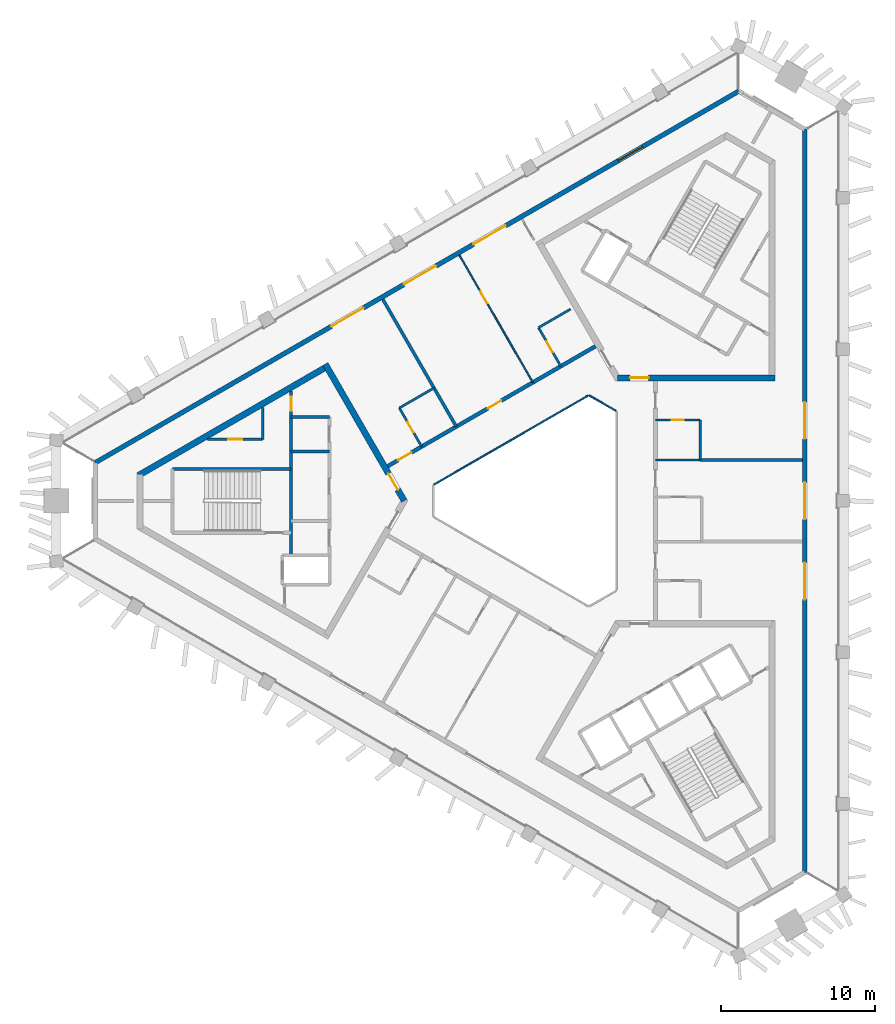
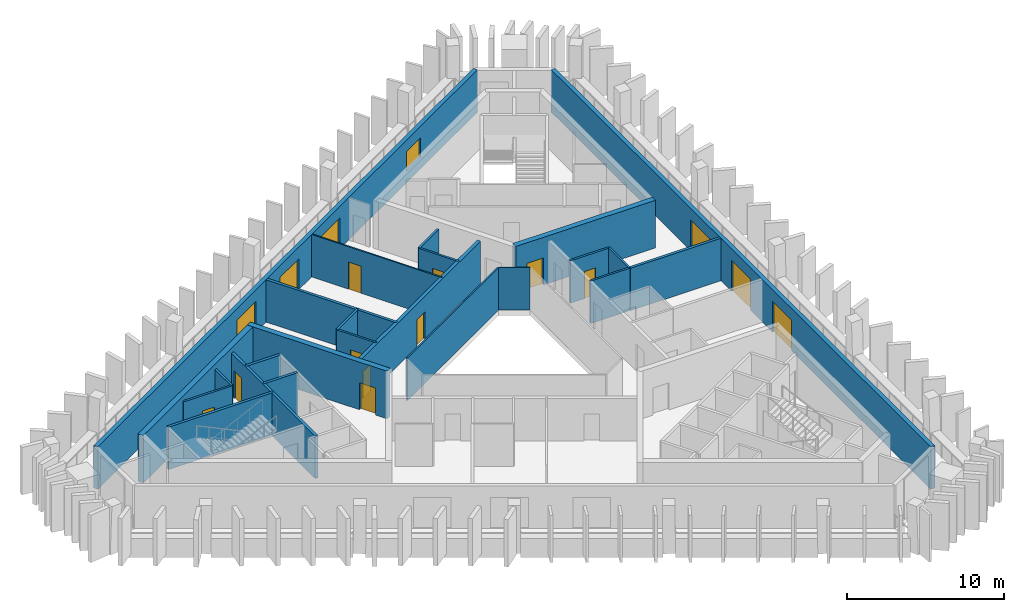
# One storey, part 4 of 9: 24 walls, 16 doors, 1 window, 17 openings.
"""IFC4 building model written with IfcOpenShell, lengths in metres."""

from ifc_helpers import new_model, si_unit, direction, frame, frame_2d, origin, place, context, subcontext, project, spatial, rectangle, extrude, material, layer, layer_set, type_object, element, fill, save


model = new_model("IFC4")

# Units and contexts
model_context = context("Model", 3, precision=1e-05, world=origin(), true_north=direction((0.0, 1.0)))
body_context = subcontext(model_context, "Body", "Model", "MODEL_VIEW")
ifc_project = project(units=[si_unit("LENGTHUNIT", "METRE"), si_unit("AREAUNIT", "SQUARE_METRE"), si_unit("VOLUMEUNIT", "CUBIC_METRE"), si_unit("PLANEANGLEUNIT", "RADIAN"), si_unit("MASSUNIT", "GRAM", prefix="KILO")], contexts=[model_context])

# Site, building, storey
site_placement = place(None, origin())
site = spatial("IfcSite", under=ifc_project, at=site_placement, CompositionType="ELEMENT")
building_placement = place(site_placement, origin())
building = spatial("IfcBuilding", under=site, at=building_placement, Name="Jabali Bay Hotel Tower and Convention Centre", CompositionType="ELEMENT")
storey_placement = place(building_placement, frame((0.0, 0.0, 262.699951171875)))
storey = spatial("IfcBuildingStorey", under=building, at=storey_placement, Name="L64", CompositionType="ELEMENT", Elevation=262.699951171875)

# Walls
ifc_material_1 = material(Name="Fire-resistant glazing", Category="glass")
ifc_layer_1 = layer(ifc_material_1, 0.10009765625)
ifc_layer_set_1 = layer_set([ifc_layer_1], Name="Fire-resistant glazing")
wall_type_1 = type_object("IfcWallType", Name="Atrium glazed screen 100", PredefinedType="PARTITIONING", material=ifc_layer_set_1)
wall_1_placement = place(storey_placement, frame((79.530029296875, 85.84619140625, 0.0), z_axis=(0.0, 0.0, 1.0), x_axis=(-0.866041268327, 0.499972520799, 0.0)))
element("IfcWall", 1, at=wall_1_placement, inside=storey, type_object=wall_type_1, Name="Atrium screen 2 L64", PredefinedType="PARTITIONING", context=body_context, shape_type="SweptSolid", body=[
    extrude(rectangle(XDim=2.0, YDim=0.10009765625, at=frame_2d((1.0, 0.0))), origin(), (0.0, 0.0, 1.0), 3.300048828125),
])
wall_2_placement = place(storey_placement, frame((77.738037109375, 86.84619140625, 0.0), z_axis=(0.0, 0.0, 1.0), x_axis=(-0.866026658274, -0.499997827154, 0.0)))
element("IfcWall", 2, at=wall_2_placement, inside=storey, type_object=wall_type_1, Name="Atrium screen 3 L64", PredefinedType="PARTITIONING", context=body_context, shape_type="SweptSolid", body=[
    extrude(rectangle(XDim=11.58837890625, YDim=0.10009765625, at=frame_2d((5.794189453125, 0.0))), origin(), (0.0, 0.0, 1.0), 3.300048828125),
])

# Wall, opening, door
ifc_material_2 = material(Name="Fire-rated board partition")
ifc_layer_2 = layer(ifc_material_2, 0.14990234375)
ifc_layer_set_2 = layer_set([ifc_layer_2], Name="Fire-rated board partition")
wall_type_2 = type_object("IfcWallType", Name="Core room partition 150", PredefinedType="PARTITIONING", material=ifc_layer_set_2)
wall_3_placement = place(storey_placement, frame((56.570068359375, 84.0, 0.0), z_axis=(0.0, 0.0, 1.0), x_axis=(-1.0, 0.0, 0.0)))
wall_3 = element("IfcWall", 3, at=wall_3_placement, inside=storey, type_object=wall_type_2, Name="Core wall 0.1 L64", PredefinedType="PARTITIONING", context=body_context, shape_type="SweptSolid", body=[
    extrude(rectangle(XDim=3.601806640625, YDim=0.14990234375, at=frame_2d((1.80078125, 0.0))), origin(), (0.0, 0.0, 1.0), 3.300048828125),
])
opening_1_placement = place(wall_3_placement, frame((1.323486328125, 0.0, 0.0)))
opening_1 = element("IfcOpeningElement", 4, at=opening_1_placement, cuts=wall_3, Name="Opening D1407", PredefinedType="OPENING", context=body_context, shape_type="SweptSolid", body=[
    extrude(rectangle(XDim=0.89990234375, YDim=2.10009765625, at=frame_2d((0.449951171875, 1.050048828125))), frame((0.0, 0.08544921875, 0.0), z_axis=(0.0, -1.0, 0.0), x_axis=(1.0, 0.0, 0.0)), (0.0, 0.0, 1.0), 0.1708984375),
])
ifc_material_3 = material(Name="Fire-rated steel door", Category="steel")
door_type_1 = type_object("IfcDoorType", Name="Core room door 900 x 2100", OperationType="NOTDEFINED", PredefinedType="NOTDEFINED", material=ifc_material_3)
door_1_placement = place(opening_1_placement, origin())
door_1 = element("IfcDoor", 5, at=door_1_placement, inside=storey, type_object=door_type_1, Name="Core room door D1407", OperationType="SINGLE_SWING_LEFT", OverallHeight=2.10009765625, OverallWidth=0.89990234375, PredefinedType="NOTDEFINED", context=body_context, shape_type="SweptSolid", body=[
    extrude(rectangle(XDim=0.89990234375, YDim=2.10009765625, at=frame_2d((0.449951171875, 1.050048828125))), frame((0.0, 0.02490234375, 0.0), z_axis=(0.0, -1.0, 0.0), x_axis=(1.0, 0.0, 0.0)), (0.0, 0.0, 1.0), 0.050048828125),
])
fill(opening_1, door_1)

# Walls
wall_4_placement = place(storey_placement, frame((56.570068359375, 86.07958984375, 0.0), z_axis=(0.0, 0.0, 1.0), x_axis=(0.0, -1.0, 0.0)))
element("IfcWall", 6, at=wall_4_placement, inside=storey, type_object=wall_type_2, Name="Core wall 0.13 L64", PredefinedType="PARTITIONING", context=body_context, shape_type="SweptSolid", body=[
    extrude(rectangle(XDim=2.07958984375, YDim=0.14990234375, at=frame_2d((1.039794921875, 0.0))), origin(), (0.0, 0.0, 1.0), 3.300048828125),
])
ifc_material_4 = material(Name="Concrete C40", Category="concrete")
ifc_layer_3 = layer(ifc_material_4, 0.199951171875)
ifc_layer_set_3 = layer_set([ifc_layer_3], Name="Concrete C40")
wall_type_3 = type_object("IfcWallType", Name="Core stair wall 200", PredefinedType="SOLIDWALL", material=ifc_layer_set_3)
for number, where, z_axis, x_axis, name in (
    (7, (60.89990234375, 85.449951171875, 0.0), (0.0, 0.0, 1.0), (-1.0, 0.0, 0.0), "Core wall 0.0 L64"),
    (8, (60.89990234375, 83.199951171875, 0.0), (0.0, 0.0, 1.0), (-1.0, 0.0, 0.0), "Core wall 0.2 L64"),
):
    element("IfcWall", number, at=place(storey_placement, frame(where, z_axis=z_axis, x_axis=x_axis)), inside=storey, type_object=wall_type_3, Name=name, PredefinedType="SOLIDWALL", context=body_context, shape_type="SweptSolid", body=[
        extrude(rectangle(XDim=2.47998046875, YDim=0.199951171875, at=frame_2d((1.239990234375, 0.0))), origin(), (0.0, 0.0, 1.0), 3.300048828125),
    ])
wall_5_placement = place(storey_placement, frame((58.419921875, 82.074951171875, 0.0), z_axis=(0.0, 0.0, 1.0), x_axis=(-1.0, 0.0, 0.0)))
element("IfcWall", 9, at=wall_5_placement, inside=storey, type_object=wall_type_3, Name="Core wall 0.3 L64", PredefinedType="SOLIDWALL", context=body_context, shape_type="SweptSolid", body=[
    extrude(rectangle(XDim=7.699951171875, YDim=0.199951171875, at=frame_2d((3.85009765625, 0.0))), origin(), (0.0, 0.0, 1.0), 3.300048828125),
])

# Wall, opening, door
wall_6_placement = place(storey_placement, frame((58.419921875, 87.147705078125, 0.0), z_axis=(0.0, 0.0, 1.0), x_axis=(0.0, -1.0, 0.0)))
wall_6 = element("IfcWall", 10, at=wall_6_placement, inside=storey, type_object=wall_type_3, Name="Core wall 0.10 L64", PredefinedType="SOLIDWALL", context=body_context, shape_type="SweptSolid", body=[
    extrude(rectangle(XDim=10.69775390625, YDim=0.199951171875, at=frame_2d((5.348876953125, 0.0))), origin(), (0.0, 0.0, 1.0), 3.300048828125),
])
opening_2_placement = place(wall_6_placement, frame((0.398681640625, 0.0, 0.0)))
opening_2 = element("IfcOpeningElement", 11, at=opening_2_placement, cuts=wall_6, Name="Opening D1405", PredefinedType="OPENING", context=body_context, shape_type="SweptSolid", body=[
    extrude(rectangle(XDim=0.89990234375, YDim=2.10009765625, at=frame_2d((0.449951171875, 1.050048828125))), frame((0.0, 0.1103515625, 0.0), z_axis=(0.0, -1.0, 0.0), x_axis=(1.0, 0.0, 0.0)), (0.0, 0.0, 1.0), 0.220947265625),
])
door_type_2 = type_object("IfcDoorType", Name="Vestibule fire door 900 x 2100", OperationType="NOTDEFINED", PredefinedType="NOTDEFINED", material=ifc_material_3)
door_2_placement = place(opening_2_placement, origin())
door_2 = element("IfcDoor", 12, at=door_2_placement, inside=storey, type_object=door_type_2, Name="Vestibule fire door D1405", OperationType="SINGLE_SWING_LEFT", OverallHeight=2.10009765625, OverallWidth=0.89990234375, PredefinedType="NOTDEFINED", context=body_context, shape_type="SweptSolid", body=[
    extrude(rectangle(XDim=0.89990234375, YDim=2.10009765625, at=frame_2d((0.449951171875, 1.050048828125))), frame((0.0, 0.02490234375, 0.0), z_axis=(0.0, -1.0, 0.0), x_axis=(1.0, 0.0, 0.0)), (0.0, 0.0, 1.0), 0.050048828125),
])
fill(opening_2, door_2)

ifc_material_5 = material(Name="Concrete C60", Category="concrete")
ifc_layer_4 = layer(ifc_material_5, 0.39990234375)
ifc_layer_set_4 = layer_set([ifc_layer_4], Name="Concrete C60")
wall_type_4 = type_object("IfcWallType", Name="Core wall 400", PredefinedType="SHEAR", material=ifc_layer_set_4)
wall_7_placement = place(storey_placement, frame((65.76904296875, 80.0, 0.0), z_axis=(0.0, 0.0, 1.0), x_axis=(-0.50000177223, 0.866024380585, 0.0)))
wall_7 = element("IfcWall", 13, at=wall_7_placement, inside=storey, type_object=wall_type_4, Name="Core wall 1.1 L64", PredefinedType="SHEAR", context=body_context, shape_type="SweptSolid", body=[
    extrude(rectangle(XDim=10.2646484375, YDim=0.39990234375, at=frame_2d((5.13232421875, 0.0))), origin(), (0.0, 0.0, 1.0), 3.699951171875),
])
opening_3_placement = place(wall_7_placement, frame((0.83447265625, 0.0, 0.0)))
opening_3 = element("IfcOpeningElement", 14, at=opening_3_placement, cuts=wall_7, Name="Opening D1399", PredefinedType="OPENING", context=body_context, shape_type="SweptSolid", body=[
    extrude(rectangle(XDim=1.199951171875, YDim=2.10009765625, at=frame_2d((0.60009765625, 1.050048828125))), frame((0.0, 0.21044921875, 0.0), z_axis=(0.0, -1.0, 0.0), x_axis=(1.0, 0.0, 0.0)), (0.0, 0.0, 1.0), 0.4208984375),
])
door_type_3 = type_object("IfcDoorType", Name="Corridor end fire door 1200 x 2100", OperationType="NOTDEFINED", PredefinedType="NOTDEFINED", material=ifc_material_3)
door_3_placement = place(opening_3_placement, origin())
door_3 = element("IfcDoor", 15, at=door_3_placement, inside=storey, type_object=door_type_3, Name="Corridor end fire door D1399", OperationType="SINGLE_SWING_RIGHT", OverallHeight=2.10009765625, OverallWidth=1.199951171875, PredefinedType="NOTDEFINED", context=body_context, shape_type="SweptSolid", body=[
    extrude(rectangle(XDim=1.199951171875, YDim=2.10009765625, at=frame_2d((0.60009765625, 1.050048828125))), frame((0.0, 0.02490234375, 0.0), z_axis=(0.0, -1.0, 0.0), x_axis=(1.0, 0.0, 0.0)), (0.0, 0.0, 1.0), 0.050048828125),
])
fill(opening_3, door_3)

# Wall
wall_8_placement = place(storey_placement, frame((60.73681640625, 88.716064453125, 0.0), z_axis=(0.0, 0.0, 1.0), x_axis=(-0.866028812667, -0.499994095595, 0.0)))
element("IfcWall", 16, at=wall_8_placement, inside=storey, type_object=wall_type_4, Name="Core wall 1.2 L64", PredefinedType="SHEAR", context=body_context, shape_type="SweptSolid", body=[
    extrude(rectangle(XDim=14.133544921875, YDim=0.39990234375, at=frame_2d((7.06689453125, 0.0))), origin(), (0.0, 0.0, 1.0), 3.699951171875),
])

# Wall, opening, door
wall_9_placement = place(storey_placement, frame((79.615478515625, 87.994140625, 0.0), z_axis=(0.0, 0.0, 1.0), x_axis=(1.0, 0.0, 0.0)))
wall_9 = element("IfcWall", 17, at=wall_9_placement, inside=storey, type_object=wall_type_4, Name="Core wall 2.1 L64", PredefinedType="SHEAR", context=body_context, shape_type="SweptSolid", body=[
    extrude(rectangle(XDim=10.264404296875, YDim=0.39990234375, at=frame_2d((5.13232421875, 0.0))), origin(), (0.0, 0.0, 1.0), 3.699951171875),
])
opening_4_placement = place(wall_9_placement, frame((0.83447265625, 0.0, 0.0)))
opening_4 = element("IfcOpeningElement", 18, at=opening_4_placement, cuts=wall_9, Name="Opening D1408", PredefinedType="OPENING", context=body_context, shape_type="SweptSolid", body=[
    extrude(rectangle(XDim=1.199951171875, YDim=2.10009765625, at=frame_2d((0.60009765625, 1.050048828125))), frame((0.0, 0.21044921875, 0.0), z_axis=(0.0, -1.0, 0.0), x_axis=(1.0, 0.0, 0.0)), (0.0, 0.0, 1.0), 0.4208984375),
])
door_4_placement = place(opening_4_placement, origin())
door_4 = element("IfcDoor", 19, at=door_4_placement, inside=storey, type_object=door_type_3, Name="Corridor end fire door D1408", OperationType="SINGLE_SWING_RIGHT", OverallHeight=2.10009765625, OverallWidth=1.199951171875, PredefinedType="NOTDEFINED", context=body_context, shape_type="SweptSolid", body=[
    extrude(rectangle(XDim=1.199951171875, YDim=2.10009765625, at=frame_2d((0.60009765625, 1.050048828125))), frame((0.0, 0.02490234375, 0.0), z_axis=(0.0, -1.0, 0.0), x_axis=(1.0, 0.0, 0.0)), (0.0, 0.0, 1.0), 0.050048828125),
])
fill(opening_4, door_4)

# Wall, openings, doors
ifc_layer_5 = layer(ifc_material_5, 0.25)
ifc_layer_set_5 = layer_set([ifc_layer_5], Name="Concrete C60")
wall_type_5 = type_object("IfcWallType", Name="Corridor wall 250", PredefinedType="SHEAR", material=ifc_layer_set_5)
wall_10_placement = place(storey_placement, frame((78.199951171875, 90.0458984375, 0.0), z_axis=(0.0, 0.0, 1.0), x_axis=(-0.866026492143, -0.499998114903, 0.0)))
wall_10 = element("IfcWall", 20, at=wall_10_placement, inside=storey, type_object=wall_type_5, Name="Corridor wall 2 L64", PredefinedType="SHEAR", context=body_context, shape_type="SweptSolid", body=[
    extrude(rectangle(XDim=15.58837890625, YDim=0.25, at=frame_2d((7.794189453125, 0.0))), origin(), (0.0, 0.0, 1.0), 3.300048828125),
])
opening_5_placement = place(wall_10_placement, frame((7.072021484375, 0.0, 0.0)))
opening_5 = element("IfcOpeningElement", 21, at=opening_5_placement, cuts=wall_10, Name="Opening 6409", PredefinedType="OPENING", context=body_context, shape_type="SweptSolid", body=[
    extrude(rectangle(XDim=1.0, YDim=2.10009765625, at=frame_2d((0.5, 1.050048828125))), frame((0.0, 0.135498046875, 0.0), z_axis=(0.0, -1.0, 0.0), x_axis=(1.0, 0.0, 0.0)), (0.0, 0.0, 1.0), 0.27099609375),
])
opening_6_placement = place(wall_10_placement, frame((13.81640625, 0.0, 0.0)))
opening_6 = element("IfcOpeningElement", 22, at=opening_6_placement, cuts=wall_10, Name="Opening 6411", PredefinedType="OPENING", context=body_context, shape_type="SweptSolid", body=[
    extrude(rectangle(XDim=1.0, YDim=2.10009765625, at=frame_2d((0.5, 1.050048828125))), frame((0.0, 0.135498046875, 0.0), z_axis=(0.0, -1.0, 0.0), x_axis=(1.0, 0.0, 0.0)), (0.0, 0.0, 1.0), 0.27099609375),
])
ifc_material_6 = material(Name="Timber", Category="wood")
door_type_4 = type_object("IfcDoorType", Name="Guest room door 1000 x 2100", OperationType="NOTDEFINED", PredefinedType="NOTDEFINED", material=ifc_material_6)
door_5_placement = place(opening_5_placement, origin())
door_5 = element("IfcDoor", 23, at=door_5_placement, inside=storey, type_object=door_type_4, Name="Door 6409", OperationType="SINGLE_SWING_LEFT", OverallHeight=2.10009765625, OverallWidth=1.0, PredefinedType="NOTDEFINED", context=body_context, shape_type="SweptSolid", body=[
    extrude(rectangle(XDim=1.0, YDim=2.10009765625, at=frame_2d((0.5, 1.050048828125))), frame((0.0, 0.02490234375, 0.0), z_axis=(0.0, -1.0, 0.0), x_axis=(1.0, 0.0, 0.0)), (0.0, 0.0, 1.0), 0.050048828125),
])
fill(opening_5, door_5)
door_6_placement = place(opening_6_placement, origin())
door_6 = element("IfcDoor", 24, at=door_6_placement, inside=storey, type_object=door_type_4, Name="Door 6411", OperationType="SINGLE_SWING_RIGHT", OverallHeight=2.10009765625, OverallWidth=1.0, PredefinedType="NOTDEFINED", context=body_context, shape_type="SweptSolid", body=[
    extrude(rectangle(XDim=1.0, YDim=2.10009765625, at=frame_2d((0.5, 1.050048828125))), frame((0.0, 0.02490234375, 0.0), z_axis=(0.0, -1.0, 0.0), x_axis=(1.0, 0.0, 0.0)), (0.0, 0.0, 1.0), 0.050048828125),
])
fill(opening_6, door_6)

ifc_layer_6 = layer(ifc_material_4, 0.300048828125)
ifc_layer_set_6 = layer_set([ifc_layer_6], Name="Concrete C40")
wall_type_6 = type_object("IfcWallType", Name="External wall 300", PredefinedType="SOLIDWALL", material=ifc_layer_set_6)
wall_11_placement = place(storey_placement, frame((91.802001953125, 104.159423828125, 0.0), z_axis=(0.0, 0.0, 1.0), x_axis=(0.0, -1.0, 0.0)))
wall_11 = element("IfcWall", 25, at=wall_11_placement, inside=storey, type_object=wall_type_6, Name="External wall east face L64", PredefinedType="SOLIDWALL", context=body_context, shape_type="SweptSolid", body=[
    extrude(rectangle(XDim=48.31884765625, YDim=0.300048828125, at=frame_2d((24.159423828125, 0.0))), origin(), (0.0, 0.0, 1.0), 3.300048828125),
])
opening_7_placement = place(wall_11_placement, frame((22.959228515625, 0.0, 0.0)))
opening_7 = element("IfcOpeningElement", 26, at=opening_7_placement, cuts=wall_11, Name="Opening SD1", PredefinedType="OPENING", context=body_context, shape_type="SweptSolid", body=[
    extrude(rectangle(XDim=2.39990234375, YDim=2.39990234375, at=frame_2d((1.199951171875, 1.199951171875))), frame((0.0, 0.16064453125, 0.0), z_axis=(0.0, -1.0, 0.0), x_axis=(1.0, 0.0, 0.0)), (0.0, 0.0, 1.0), 0.321044921875),
])
opening_8_placement = place(wall_11_placement, frame((28.181396484375, 0.0, 0.0)))
opening_8 = element("IfcOpeningElement", 27, at=opening_8_placement, cuts=wall_11, Name="Opening SD1", PredefinedType="OPENING", context=body_context, shape_type="SweptSolid", body=[
    extrude(rectangle(XDim=2.39990234375, YDim=2.39990234375, at=frame_2d((1.199951171875, 1.199951171875))), frame((0.0, 0.16064453125, 0.0), z_axis=(0.0, -1.0, 0.0), x_axis=(1.0, 0.0, 0.0)), (0.0, 0.0, 1.0), 0.321044921875),
])
opening_9_placement = place(wall_11_placement, frame((17.7373046875, 0.0, 0.0)))
opening_9 = element("IfcOpeningElement", 28, at=opening_9_placement, cuts=wall_11, Name="Opening SD1", PredefinedType="OPENING", context=body_context, shape_type="SweptSolid", body=[
    extrude(rectangle(XDim=2.39990234375, YDim=2.39990234375, at=frame_2d((1.199951171875, 1.199951171875))), frame((0.0, 0.16064453125, 0.0), z_axis=(0.0, -1.0, 0.0), x_axis=(1.0, 0.0, 0.0)), (0.0, 0.0, 1.0), 0.321044921875),
])
ifc_material_7 = material(Name="Glass", Category="glass")
door_type_5 = type_object("IfcDoorType", Name="Loggia sliding door 2400 x 2400", OperationType="NOTDEFINED", PredefinedType="NOTDEFINED", material=ifc_material_7)
door_7_placement = place(opening_7_placement, origin())
door_7 = element("IfcDoor", 29, at=door_7_placement, inside=storey, type_object=door_type_5, Name="Loggia sliding door 6402", OperationType="SLIDING_TO_LEFT", OverallHeight=2.39990234375, OverallWidth=2.39990234375, PredefinedType="NOTDEFINED", context=body_context, shape_type="SweptSolid", body=[
    extrude(rectangle(XDim=2.39990234375, YDim=2.39990234375, at=frame_2d((1.199951171875, 1.199951171875))), frame((0.0, 0.02490234375, 0.0), z_axis=(0.0, -1.0, 0.0), x_axis=(1.0, 0.0, 0.0)), (0.0, 0.0, 1.0), 0.050048828125),
])
fill(opening_7, door_7)
door_8_placement = place(opening_8_placement, origin())
door_8 = element("IfcDoor", 30, at=door_8_placement, inside=storey, type_object=door_type_5, Name="Loggia sliding door 6401", OperationType="SLIDING_TO_RIGHT", OverallHeight=2.39990234375, OverallWidth=2.39990234375, PredefinedType="NOTDEFINED", context=body_context, shape_type="SweptSolid", body=[
    extrude(rectangle(XDim=2.39990234375, YDim=2.39990234375, at=frame_2d((1.199951171875, 1.199951171875))), frame((0.0, 0.02490234375, 0.0), z_axis=(0.0, -1.0, 0.0), x_axis=(1.0, 0.0, 0.0)), (0.0, 0.0, 1.0), 0.050048828125),
])
fill(opening_8, door_8)
door_9_placement = place(opening_9_placement, origin())
door_9 = element("IfcDoor", 31, at=door_9_placement, inside=storey, type_object=door_type_5, Name="Loggia sliding door 6403", OperationType="SLIDING_TO_LEFT", OverallHeight=2.39990234375, OverallWidth=2.39990234375, PredefinedType="NOTDEFINED", context=body_context, shape_type="SweptSolid", body=[
    extrude(rectangle(XDim=2.39990234375, YDim=2.39990234375, at=frame_2d((1.199951171875, 1.199951171875))), frame((0.0, 0.02490234375, 0.0), z_axis=(0.0, -1.0, 0.0), x_axis=(1.0, 0.0, 0.0)), (0.0, 0.0, 1.0), 0.050048828125),
])
fill(opening_9, door_9)

# Wall, openings, doors, window
wall_12_placement = place(storey_placement, frame((45.67626953125, 82.471435546875, 0.0), z_axis=(0.0, 0.0, 1.0), x_axis=(0.866026894696, 0.499997417657, 0.0)))
wall_12 = element("IfcWall", 32, at=wall_12_placement, inside=storey, type_object=wall_type_6, Name="External wall north-west face L64", PredefinedType="SOLIDWALL", context=body_context, shape_type="SweptSolid", body=[
    extrude(rectangle(XDim=48.318603515625, YDim=0.300048828125, at=frame_2d((24.1591796875, 0.0))), origin(), (0.0, 0.0, 1.0), 3.300048828125),
])
opening_10_placement = place(wall_12_placement, frame((39.279296875, 0.0, 0.89990234375)))
opening_10 = element("IfcOpeningElement", 33, at=opening_10_placement, cuts=wall_12, Name="Opening W1", PredefinedType="OPENING", context=body_context, shape_type="SweptSolid", body=[
    extrude(rectangle(XDim=1.800048828125, YDim=1.5, at=frame_2d((0.89990234375, 0.75))), frame((0.0, 0.16064453125, 0.0), z_axis=(0.0, -1.0, 0.0), x_axis=(1.0, 0.0, 0.0)), (0.0, 0.0, 1.0), 0.321044921875),
])
opening_11_placement = place(wall_12_placement, frame((28.403564453125, 0.0, 0.0)))
opening_11 = element("IfcOpeningElement", 34, at=opening_11_placement, cuts=wall_12, Name="Opening SD1", PredefinedType="OPENING", context=body_context, shape_type="SweptSolid", body=[
    extrude(rectangle(XDim=2.39990234375, YDim=2.39990234375, at=frame_2d((1.199951171875, 1.199951171875))), frame((0.0, 0.16064453125, 0.0), z_axis=(0.0, -1.0, 0.0), x_axis=(1.0, 0.0, 0.0)), (0.0, 0.0, 1.0), 0.321044921875),
])
opening_12_placement = place(wall_12_placement, frame((23.181396484375, 0.0, 0.0)))
opening_12 = element("IfcOpeningElement", 35, at=opening_12_placement, cuts=wall_12, Name="Opening SD1", PredefinedType="OPENING", context=body_context, shape_type="SweptSolid", body=[
    extrude(rectangle(XDim=2.39990234375, YDim=2.39990234375, at=frame_2d((1.199951171875, 1.199951171875))), frame((0.0, 0.16064453125, 0.0), z_axis=(0.0, -1.0, 0.0), x_axis=(1.0, 0.0, 0.0)), (0.0, 0.0, 1.0), 0.321044921875),
])
opening_13_placement = place(wall_12_placement, frame((17.7373046875, 0.0, 0.0)))
opening_13 = element("IfcOpeningElement", 36, at=opening_13_placement, cuts=wall_12, Name="Opening SD1", PredefinedType="OPENING", context=body_context, shape_type="SweptSolid", body=[
    extrude(rectangle(XDim=2.39990234375, YDim=2.39990234375, at=frame_2d((1.199951171875, 1.199951171875))), frame((0.0, 0.16064453125, 0.0), z_axis=(0.0, -1.0, 0.0), x_axis=(1.0, 0.0, 0.0)), (0.0, 0.0, 1.0), 0.321044921875),
])
door_10_placement = place(opening_11_placement, origin())
door_10 = element("IfcDoor", 37, at=door_10_placement, inside=storey, type_object=door_type_5, Name="Loggia sliding door 6404", OperationType="SLIDING_TO_LEFT", OverallHeight=2.39990234375, OverallWidth=2.39990234375, PredefinedType="NOTDEFINED", context=body_context, shape_type="SweptSolid", body=[
    extrude(rectangle(XDim=2.39990234375, YDim=2.39990234375, at=frame_2d((1.199951171875, 1.199951171875))), frame((0.0, 0.02490234375, 0.0), z_axis=(0.0, -1.0, 0.0), x_axis=(1.0, 0.0, 0.0)), (0.0, 0.0, 1.0), 0.050048828125),
])
fill(opening_11, door_10)
door_11_placement = place(opening_12_placement, origin())
door_11 = element("IfcDoor", 38, at=door_11_placement, inside=storey, type_object=door_type_5, Name="Loggia sliding door 6404", OperationType="SLIDING_TO_RIGHT", OverallHeight=2.39990234375, OverallWidth=2.39990234375, PredefinedType="NOTDEFINED", context=body_context, shape_type="SweptSolid", body=[
    extrude(rectangle(XDim=2.39990234375, YDim=2.39990234375, at=frame_2d((1.199951171875, 1.199951171875))), frame((0.0, 0.02490234375, 0.0), z_axis=(0.0, -1.0, 0.0), x_axis=(1.0, 0.0, 0.0)), (0.0, 0.0, 1.0), 0.050048828125),
])
fill(opening_12, door_11)
door_12_placement = place(opening_13_placement, origin())
door_12 = element("IfcDoor", 39, at=door_12_placement, inside=storey, type_object=door_type_5, Name="Loggia sliding door 6405", OperationType="SLIDING_TO_LEFT", OverallHeight=2.39990234375, OverallWidth=2.39990234375, PredefinedType="NOTDEFINED", context=body_context, shape_type="SweptSolid", body=[
    extrude(rectangle(XDim=2.39990234375, YDim=2.39990234375, at=frame_2d((1.199951171875, 1.199951171875))), frame((0.0, 0.02490234375, 0.0), z_axis=(0.0, -1.0, 0.0), x_axis=(1.0, 0.0, 0.0)), (0.0, 0.0, 1.0), 0.050048828125),
])
fill(opening_13, door_12)
window_type = type_object("IfcWindowType", Name="Window 1800 x 1500", PartitioningType="SINGLE_PANEL", PredefinedType="WINDOW", material=ifc_material_7)
window_placement = place(opening_10_placement, origin())
window = element("IfcWindow", 40, at=window_placement, inside=storey, type_object=window_type, Name="Window", OverallHeight=1.5, OverallWidth=1.800048828125, PartitioningType="SINGLE_PANEL", PredefinedType="WINDOW", context=body_context, shape_type="SweptSolid", body=[
    extrude(rectangle(XDim=1.800048828125, YDim=1.5, at=frame_2d((0.89990234375, 0.75))), frame((0.0, 0.030029296875, 0.0), z_axis=(0.0, -1.0, 0.0), x_axis=(1.0, 0.0, 0.0)), (0.0, 0.0, 1.0), 0.06005859375),
])
fill(opening_10, window)

# Wall, opening, door
ifc_material_8 = material(Name="Plasterboard on steel stud", Category="steel")
ifc_layer_7 = layer(ifc_material_8, 0.10009765625)
ifc_layer_set_7 = layer_set([ifc_layer_7], Name="Plasterboard on steel stud")
wall_type_7 = type_object("IfcWallType", Name="Partition 100 unit", PredefinedType="PARTITIONING", material=ifc_layer_set_7)
wall_13_placement = place(storey_placement, frame((69.353271484375, 95.968994140625, 0.0), z_axis=(0.0, 0.0, 1.0), x_axis=(0.499998251479, -0.866026413291, 0.0)))
wall_13 = element("IfcWall", 41, at=wall_13_placement, inside=storey, type_object=wall_type_7, Name="Partition P02 L64 013", PredefinedType="PARTITIONING", context=body_context, shape_type="SweptSolid", body=[
    extrude(rectangle(XDim=9.552734375, YDim=0.10009765625, at=frame_2d((4.7763671875, 0.0))), origin(), (0.0, 0.0, 1.0), 3.300048828125),
])
opening_14_placement = place(wall_13_placement, frame((2.72705078125, 0.0, 0.0)))
opening_14 = element("IfcOpeningElement", 42, at=opening_14_placement, cuts=wall_13, Name="Opening 6408", PredefinedType="OPENING", context=body_context, shape_type="SweptSolid", body=[
    extrude(rectangle(XDim=0.89990234375, YDim=2.10009765625, at=frame_2d((0.449951171875, 1.050048828125))), frame((0.0, 0.060546875, 0.0), z_axis=(0.0, -1.0, 0.0), x_axis=(1.0, 0.0, 0.0)), (0.0, 0.0, 1.0), 0.12109375),
])
door_type_6 = type_object("IfcDoorType", Name="Internal door 900 x 2100", OperationType="NOTDEFINED", PredefinedType="NOTDEFINED", material=ifc_material_6)
door_13_placement = place(opening_14_placement, origin())
door_13 = element("IfcDoor", 43, at=door_13_placement, inside=storey, type_object=door_type_6, Name="Door 6408", OperationType="SINGLE_SWING_RIGHT", OverallHeight=2.10009765625, OverallWidth=0.89990234375, PredefinedType="NOTDEFINED", context=body_context, shape_type="SweptSolid", body=[
    extrude(rectangle(XDim=0.89990234375, YDim=2.10009765625, at=frame_2d((0.449951171875, 1.050048828125))), frame((0.0, 0.02490234375, 0.0), z_axis=(0.0, -1.0, 0.0), x_axis=(1.0, 0.0, 0.0)), (0.0, 0.0, 1.0), 0.050048828125),
])
fill(opening_14, door_13)

# Wall
ifc_layer_8 = layer(ifc_material_8, 0.14990234375)
ifc_layer_set_8 = layer_set([ifc_layer_8], Name="Plasterboard on steel stud")
wall_type_8 = type_object("IfcWallType", Name="Partition 150 wet", PredefinedType="PARTITIONING", material=ifc_layer_set_8)
wall_14_placement = place(storey_placement, frame((85.0, 82.650146484375, 0.0), z_axis=(0.0, 0.0, 1.0), x_axis=(-1.0, 0.0, 0.0)))
element("IfcWall", 44, at=wall_14_placement, inside=storey, type_object=wall_type_8, Name="Partition P03 L64 009", PredefinedType="PARTITIONING", context=body_context, shape_type="SweptSolid", body=[
    extrude(rectangle(XDim=2.89990234375, YDim=0.14990234375, at=frame_2d((1.449951171875, 0.0))), origin(), (0.0, 0.0, 1.0), 3.300048828125),
])

# Wall, opening, door
wall_15_placement = place(storey_placement, frame((82.10009765625, 85.25, 0.0), z_axis=(0.0, 0.0, 1.0), x_axis=(1.0, 0.0, 0.0)))
wall_15 = element("IfcWall", 45, at=wall_15_placement, inside=storey, type_object=wall_type_8, Name="Partition P03 L64 010", PredefinedType="PARTITIONING", context=body_context, shape_type="SweptSolid", body=[
    extrude(rectangle(XDim=2.89990234375, YDim=0.14990234375, at=frame_2d((1.449951171875, 0.0))), origin(), (0.0, 0.0, 1.0), 3.300048828125),
])
opening_15_placement = place(wall_15_placement, frame((1.050048828125, 0.0, 0.0)))
opening_15 = element("IfcOpeningElement", 46, at=opening_15_placement, cuts=wall_15, Name="Opening 6405", PredefinedType="OPENING", context=body_context, shape_type="SweptSolid", body=[
    extrude(rectangle(XDim=0.800048828125, YDim=2.10009765625, at=frame_2d((0.39990234375, 1.050048828125))), frame((0.0, 0.08544921875, 0.0), z_axis=(0.0, -1.0, 0.0), x_axis=(1.0, 0.0, 0.0)), (0.0, 0.0, 1.0), 0.1708984375),
])
door_type_7 = type_object("IfcDoorType", Name="En-suite door 800 x 2100", OperationType="NOTDEFINED", PredefinedType="NOTDEFINED", material=ifc_material_6)
door_14_placement = place(opening_15_placement, origin())
door_14 = element("IfcDoor", 47, at=door_14_placement, inside=storey, type_object=door_type_7, Name="Door 6405", OperationType="SINGLE_SWING_RIGHT", OverallHeight=2.10009765625, OverallWidth=0.800048828125, PredefinedType="NOTDEFINED", context=body_context, shape_type="SweptSolid", body=[
    extrude(rectangle(XDim=0.800048828125, YDim=2.10009765625, at=frame_2d((0.39990234375, 1.050048828125))), frame((0.0, 0.02490234375, 0.0), z_axis=(0.0, -1.0, 0.0), x_axis=(1.0, 0.0, 0.0)), (0.0, 0.0, 1.0), 0.050048828125),
])
fill(opening_15, door_14)

# Wall
wall_16_placement = place(storey_placement, frame((85.0, 85.25, 0.0), z_axis=(0.0, 0.0, 1.0), x_axis=(0.0, -1.0, 0.0)))
element("IfcWall", 48, at=wall_16_placement, inside=storey, type_object=wall_type_8, Name="Partition P03 L64 011", PredefinedType="PARTITIONING", context=body_context, shape_type="SweptSolid", body=[
    extrude(rectangle(XDim=2.599853515625, YDim=0.14990234375, at=frame_2d((1.2998046875, 0.0))), origin(), (0.0, 0.0, 1.0), 3.300048828125),
])

# Wall, opening, door
wall_17_placement = place(storey_placement, frame((75.9482421875, 88.745849609375, 0.0), z_axis=(0.0, 0.0, 1.0), x_axis=(-0.499987231761, 0.866032775405, 0.0)))
wall_17 = element("IfcWall", 49, at=wall_17_placement, inside=storey, type_object=wall_type_8, Name="Partition P03 L64 014", PredefinedType="PARTITIONING", context=body_context, shape_type="SweptSolid", body=[
    extrude(rectangle(XDim=2.89990234375, YDim=0.14990234375, at=frame_2d((1.449951171875, 0.0))), origin(), (0.0, 0.0, 1.0), 3.300048828125),
])
opening_16_placement = place(wall_17_placement, frame((1.050048828125, 0.0, 0.0)))
opening_16 = element("IfcOpeningElement", 50, at=opening_16_placement, cuts=wall_17, Name="Opening 6407", PredefinedType="OPENING", context=body_context, shape_type="SweptSolid", body=[
    extrude(rectangle(XDim=0.800048828125, YDim=2.10009765625, at=frame_2d((0.39990234375, 1.050048828125))), frame((0.0, 0.08544921875, 0.0), z_axis=(0.0, -1.0, 0.0), x_axis=(1.0, 0.0, 0.0)), (0.0, 0.0, 1.0), 0.1708984375),
])
door_15_placement = place(opening_16_placement, origin())
door_15 = element("IfcDoor", 51, at=door_15_placement, inside=storey, type_object=door_type_7, Name="Door 6407", OperationType="SINGLE_SWING_RIGHT", OverallHeight=2.10009765625, OverallWidth=0.800048828125, PredefinedType="NOTDEFINED", context=body_context, shape_type="SweptSolid", body=[
    extrude(rectangle(XDim=0.800048828125, YDim=2.10009765625, at=frame_2d((0.39990234375, 1.050048828125))), frame((0.0, 0.02490234375, 0.0), z_axis=(0.0, -1.0, 0.0), x_axis=(1.0, 0.0, 0.0)), (0.0, 0.0, 1.0), 0.050048828125),
])
fill(opening_16, door_15)

# Wall
wall_18_placement = place(storey_placement, frame((74.498291015625, 91.25732421875, 0.0), z_axis=(0.0, 0.0, 1.0), x_axis=(0.866038271014, 0.499977712642, 0.0)))
element("IfcWall", 52, at=wall_18_placement, inside=storey, type_object=wall_type_8, Name="Partition P03 L64 015", PredefinedType="PARTITIONING", context=body_context, shape_type="SweptSolid", body=[
    extrude(rectangle(XDim=2.40087890625, YDim=0.14990234375, at=frame_2d((1.200439453125, 0.0))), origin(), (0.0, 0.0, 1.0), 3.300048828125),
])

# Wall, opening, door
wall_19_placement = place(storey_placement, frame((66.9033203125, 83.523681640625, 0.0), z_axis=(0.0, 0.0, 1.0), x_axis=(-0.499987231761, 0.866032775405, 0.0)))
wall_19 = element("IfcWall", 53, at=wall_19_placement, inside=storey, type_object=wall_type_8, Name="Partition P03 L64 018", PredefinedType="PARTITIONING", context=body_context, shape_type="SweptSolid", body=[
    extrude(rectangle(XDim=2.89990234375, YDim=0.14990234375, at=frame_2d((1.449951171875, 0.0))), origin(), (0.0, 0.0, 1.0), 3.300048828125),
])
opening_17_placement = place(wall_19_placement, frame((1.050048828125, 0.0, 0.0)))
opening_17 = element("IfcOpeningElement", 54, at=opening_17_placement, cuts=wall_19, Name="Opening 6410", PredefinedType="OPENING", context=body_context, shape_type="SweptSolid", body=[
    extrude(rectangle(XDim=0.800048828125, YDim=2.10009765625, at=frame_2d((0.39990234375, 1.050048828125))), frame((0.0, 0.08544921875, 0.0), z_axis=(0.0, -1.0, 0.0), x_axis=(1.0, 0.0, 0.0)), (0.0, 0.0, 1.0), 0.1708984375),
])
door_16_placement = place(opening_17_placement, origin())
door_16 = element("IfcDoor", 55, at=door_16_placement, inside=storey, type_object=door_type_7, Name="Door 6410", OperationType="SINGLE_SWING_LEFT", OverallHeight=2.10009765625, OverallWidth=0.800048828125, PredefinedType="NOTDEFINED", context=body_context, shape_type="SweptSolid", body=[
    extrude(rectangle(XDim=0.800048828125, YDim=2.10009765625, at=frame_2d((0.39990234375, 1.050048828125))), frame((0.0, 0.02490234375, 0.0), z_axis=(0.0, -1.0, 0.0), x_axis=(1.0, 0.0, 0.0)), (0.0, 0.0, 1.0), 0.050048828125),
])
fill(opening_17, door_16)

# Walls
wall_20_placement = place(storey_placement, frame((65.453369140625, 86.03515625, 0.0), z_axis=(0.0, 0.0, 1.0), x_axis=(0.866021400173, 0.500006934395, 0.0)))
element("IfcWall", 56, at=wall_20_placement, inside=storey, type_object=wall_type_8, Name="Partition P03 L64 019", PredefinedType="PARTITIONING", context=body_context, shape_type="SweptSolid", body=[
    extrude(rectangle(XDim=2.60009765625, YDim=0.14990234375, at=frame_2d((1.300048828125, 0.0))), origin(), (0.0, 0.0, 1.0), 3.300048828125),
])
ifc_layer_9 = layer(ifc_material_8, 0.199951171875)
ifc_layer_set_9 = layer_set([ifc_layer_9], Name="Plasterboard on steel stud")
wall_type_9 = type_object("IfcWallType", Name="Partition 200 party", PredefinedType="PARTITIONING", material=ifc_layer_set_9)
wall_21_placement = place(storey_placement, frame((91.653076171875, 82.650146484375, 0.0), z_axis=(0.0, 0.0, 1.0), x_axis=(-1.0, 0.0, 0.0)))
element("IfcWall", 57, at=wall_21_placement, inside=storey, type_object=wall_type_9, Name="Partition P01 L64 008", PredefinedType="PARTITIONING", context=body_context, shape_type="SweptSolid", body=[
    extrude(rectangle(XDim=6.653076171875, YDim=0.199951171875, at=frame_2d((3.32666015625, 0.0))), origin(), (0.0, 0.0, 1.0), 3.300048828125),
])
wall_22_placement = place(storey_placement, frame((64.37841796875, 93.096923828125, 0.0), z_axis=(0.0, 0.0, 1.0), x_axis=(0.500006352507, -0.866021736132, 0.0)))
element("IfcWall", 58, at=wall_22_placement, inside=storey, type_object=wall_type_9, Name="Partition P01 L64 017", PredefinedType="PARTITIONING", context=body_context, shape_type="SweptSolid", body=[
    extrude(rectangle(XDim=9.55322265625, YDim=0.199951171875, at=frame_2d((4.776611328125, 0.0))), origin(), (0.0, 0.0, 1.0), 3.300048828125),
])

save(model, "model.ifc")
